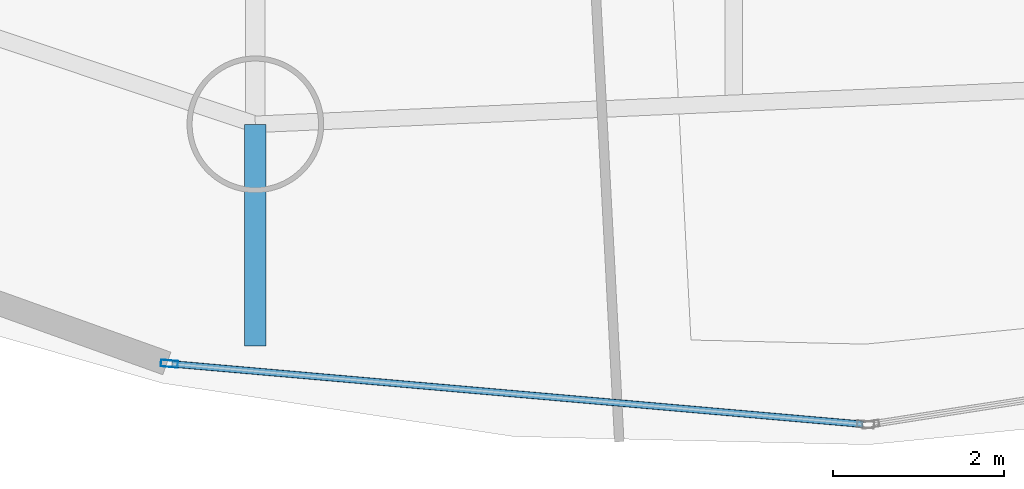
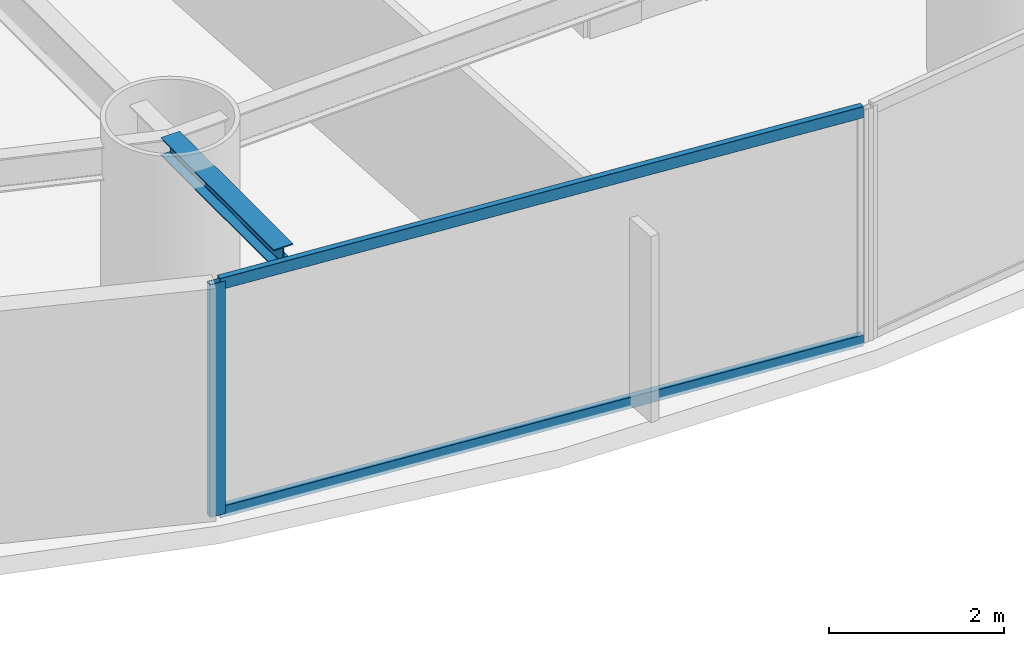
# One storey, part 2 of 24: 3 members, 1 beam, 1 element without a shape of its own.
"""IFC4 building model written with IfcOpenShell, lengths in metres."""

from ifc_helpers import new_model, si_unit, direction, frame, origin, origin_2d, place, context, subcontext, project, spatial, hollow_rectangle, i_section, extrude, material, layer, layer_set, material_profile, profile_set, type_object, element, aggregate, save


model = new_model("IFC4")

# Units and contexts
model_context = context("Model", 3, precision=1e-05, world=origin(), true_north=direction((0.0, 1.0)))
body_context = subcontext(model_context, "Body", "Model", "MODEL_VIEW")
ifc_project = project(units=[si_unit("LENGTHUNIT", "METRE"), si_unit("AREAUNIT", "SQUARE_METRE"), si_unit("VOLUMEUNIT", "CUBIC_METRE"), si_unit("PLANEANGLEUNIT", "RADIAN"), si_unit("MASSUNIT", "GRAM", prefix="KILO")], contexts=[model_context])

# Site, building, storey
site_placement = place(None, origin())
site = spatial("IfcSite", under=ifc_project, at=site_placement, CompositionType="ELEMENT")
building_placement = place(site_placement, origin())
building = spatial("IfcBuilding", under=site, at=building_placement, Name="Bramvorn Convention Spire", CompositionType="ELEMENT")
storey_placement = place(building_placement, frame((0.0, 0.0, 83.39990234375)))
storey = spatial("IfcBuildingStorey", under=building, at=storey_placement, Name="L19", CompositionType="ELEMENT", Elevation=83.39990234375)

# Beam
ifc_material_1 = material(Name="Steel CSA G40.21 Grade 350 (350W)", Category="steel")
ifc_material_profile_1 = material_profile(ifc_material_1, i_section(OverallWidth=0.25390625, OverallDepth=0.2529296875, WebThickness=0.008544921875, FlangeThickness=0.01416015625, FilletRadius=0.011962890625, at=origin_2d()))
ifc_profile_set_1 = profile_set([ifc_material_profile_1], Name="Steel CSA G40.21 Grade 350 (350W) - W250X73")
beam_type = type_object("IfcBeamType", Name="BM-W250X73", PredefinedType="BEAM", material=ifc_profile_set_1)
beam_placement = place(storey_placement, frame((35.0390625, 4.93115234375, 3.12353515625), z_axis=(0.0, -1.0, 0.0), x_axis=(1.0, 0.0, 0.0)))
element("IfcBeam", 1, at=beam_placement, inside=storey, type_object=beam_type, Name="L19 slab-edge cantilever tip beam MC13", PredefinedType="BEAM", context=body_context, shape_type="SweptSolid", body=[
    extrude(i_section(OverallWidth=0.25390625, OverallDepth=0.2529296875, WebThickness=0.008544921875, FlangeThickness=0.01416015625, FilletRadius=0.011962890625, at=origin_2d()), origin(), (0.0, 0.0, 1.0), 2.5927734375),
])

# Curtain wall, members
ifc_material_2 = material(Name="Anodised Bronze Unitised Curtain Wall", Category="aluminium")
ifc_layer = layer(ifc_material_2, 0.179931640625)
ifc_layer_set = layer_set([ifc_layer], Name="Anodised Bronze Unitised Curtain Wall - CW-HTL-FRIT")
curtain_wall_type = type_object("IfcCurtainWallType", Name="CW-HTL-FRIT", PredefinedType="USERDEFINED", material=ifc_layer_set)
curtain_wall_placement = place(storey_placement, origin())
curtain_wall = element("IfcCurtainWall", 2, at=curtain_wall_placement, inside=storey, type_object=curtain_wall_type, Name="L19 fritted glass curtain wall 19", ObjectType="UNITISED CURTAIN WALL", PredefinedType="USERDEFINED")
ifc_material_3 = material(Name="Anodised Bronze Aluminium 6063-T6", Category="aluminium")
ifc_material_profile_2 = material_profile(ifc_material_3, hollow_rectangle(XDim=0.080078125, YDim=0.199951171875, WallThickness=0.00390625, InnerFilletRadius=0.0009765625, OuterFilletRadius=0.00390625, at=origin_2d()))
ifc_profile_set_2 = profile_set([ifc_material_profile_2], Name="Anodised Bronze Aluminium 6063-T6 - CWM80X200")
member_type_1 = type_object("IfcMemberType", Name="CW-MUL-180", PredefinedType="MULLION", material=ifc_profile_set_2)
member_1_placement = place(storey_placement, frame((34.032470703125, 2.129638671875, 0.0), z_axis=(0.0, 0.0, 1.0), x_axis=(-0.087048489533, -0.996204075714, 0.0)))
member_1 = element("IfcMember", 3, at=member_1_placement, type_object=member_type_1, Name="CW2 mullion 2", PredefinedType="MULLION", context=body_context, shape_type="SweptSolid", body=[
    extrude(hollow_rectangle(XDim=0.080078125, YDim=0.199951171875, WallThickness=0.00390625, InnerFilletRadius=0.0009765625, OuterFilletRadius=0.00390625, at=origin_2d()), origin(), (0.0, 0.0, 1.0), 3.25),
])
ifc_material_profile_3 = material_profile(ifc_material_3, hollow_rectangle(XDim=0.080078125, YDim=0.159912109375, WallThickness=0.00390625, InnerFilletRadius=0.0009765625, OuterFilletRadius=0.00390625, at=origin_2d()))
ifc_profile_set_3 = profile_set([ifc_material_profile_3], Name="Anodised Bronze Aluminium 6063-T6 - CWT80X160")
member_type_2 = type_object("IfcMemberType", Name="CW-TRN-150", PredefinedType="USERDEFINED", material=ifc_profile_set_3)
member_2_placement = place(storey_placement, frame((42.15283203125, 1.420166015625, 0.030029296875), z_axis=(-0.996203272031, 0.087057686587, 0.0), x_axis=(-0.087057686587, -0.996203272031, 0.0)))
member_2 = element("IfcMember", 4, at=member_2_placement, type_object=member_type_2, Name="CW2 transom 1.1", ObjectType="TRANSOM", PredefinedType="USERDEFINED", context=body_context, shape_type="SweptSolid", body=[
    extrude(hollow_rectangle(XDim=0.080078125, YDim=0.159912109375, WallThickness=0.00390625, InnerFilletRadius=0.0009765625, OuterFilletRadius=0.00390625, at=origin_2d()), origin(), (0.0, 0.0, 1.0), 8.121337890625),
])
member_3_placement = place(storey_placement, frame((42.15283203125, 1.420166015625, 3.22021484375), z_axis=(-0.996203272031, 0.087057686587, 0.0), x_axis=(-0.087057686587, -0.996203272031, 0.0)))
member_3 = element("IfcMember", 5, at=member_3_placement, type_object=member_type_2, Name="CW2 transom 1.2", ObjectType="TRANSOM", PredefinedType="USERDEFINED", context=body_context, shape_type="SweptSolid", body=[
    extrude(hollow_rectangle(XDim=0.080078125, YDim=0.159912109375, WallThickness=0.00390625, InnerFilletRadius=0.0009765625, OuterFilletRadius=0.00390625, at=origin_2d()), origin(), (0.0, 0.0, 1.0), 8.121337890625),
])
aggregate(curtain_wall, [member_1, member_2, member_3])

save(model, "model.ifc")
